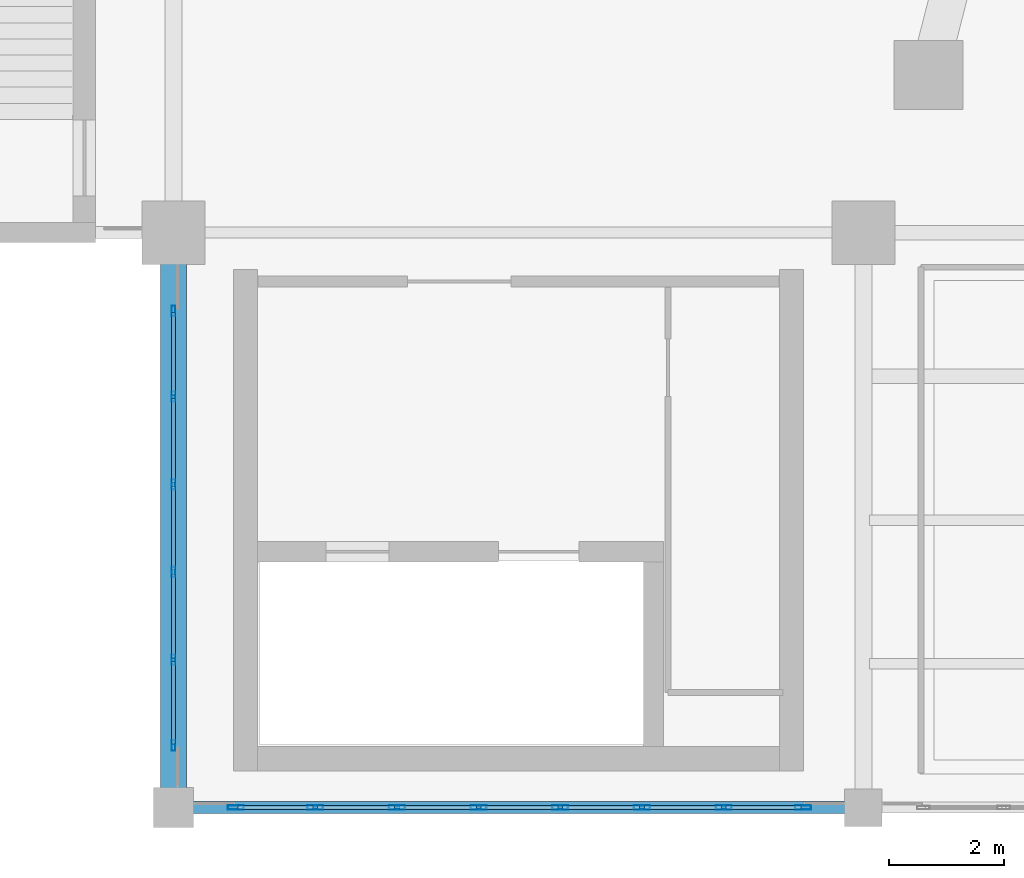
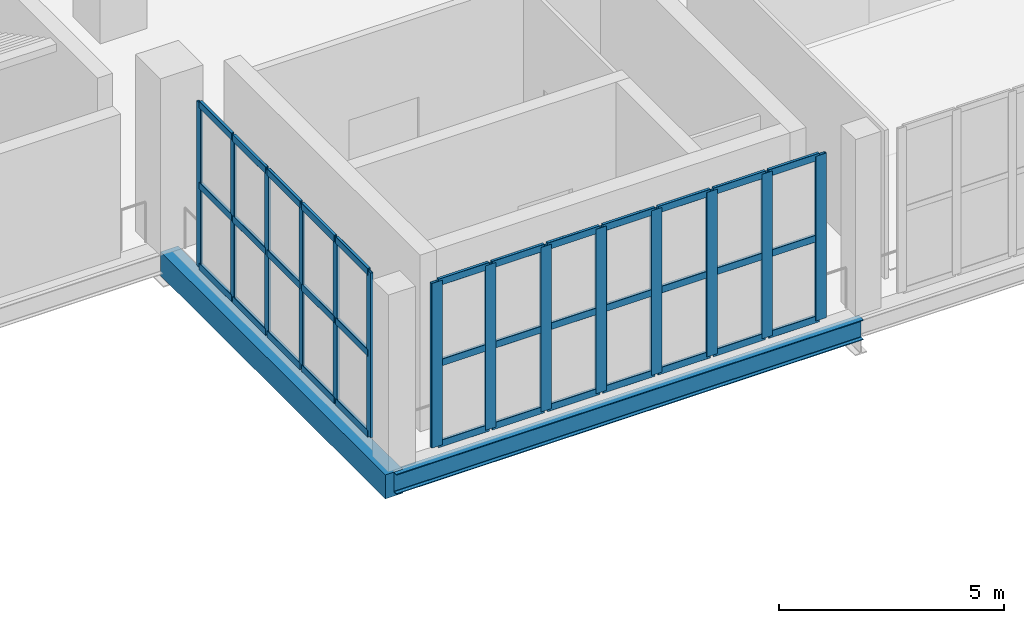
# One storey, part 38 of 136: 50 members, 2 beams, 2 elements without a shape of their own.
"""IFC4 building model written with IfcOpenShell, lengths in metres."""

from ifc_helpers import new_model, si_unit, direction, frame, origin, origin_2d, place, context, subcontext, project, spatial, rectangle, hollow_rectangle, i_section, extrude, material, layer, layer_set, material_profile, profile_set, type_object, element, aggregate, save


model = new_model("IFC4")

# Units and contexts
model_context = context("Model", 3, precision=1e-05, world=origin(), true_north=direction((0.0, 1.0)))
body_context = subcontext(model_context, "Body", "Model", "MODEL_VIEW")
ifc_project = project(units=[si_unit("LENGTHUNIT", "METRE"), si_unit("AREAUNIT", "SQUARE_METRE"), si_unit("VOLUMEUNIT", "CUBIC_METRE"), si_unit("PLANEANGLEUNIT", "RADIAN"), si_unit("MASSUNIT", "GRAM", prefix="KILO")], contexts=[model_context])

# Site, building, storey
site_placement = place(None, origin())
site = spatial("IfcSite", under=ifc_project, at=site_placement, CompositionType="ELEMENT")
building_placement = place(site_placement, origin())
building = spatial("IfcBuilding", under=site, at=building_placement, Name="Brinegate Civic Arena", CompositionType="ELEMENT")
storey_placement = place(building_placement, frame((0.0, 0.0, 5.39990234375)))
storey = spatial("IfcBuildingStorey", under=building, at=storey_placement, Name="L01", CompositionType="ELEMENT", Elevation=5.39990234375)

# Curtain wall, members
ifc_material_1 = material(Name="Marine grade aluminium", Category="aluminium")
ifc_layer = layer(ifc_material_1, 0.25, Name="Marine grade aluminium")
ifc_layer_set = layer_set([ifc_layer], Name="Marine grade aluminium")
curtain_wall_type = type_object("IfcCurtainWallType", Name="CW-PORTAL-SOUTH-02", PredefinedType="USERDEFINED", material=ifc_layer_set)
curtain_wall_1_placement = place(storey_placement, origin())
curtain_wall_1 = element("IfcCurtainWall", 1, at=curtain_wall_1_placement, inside=storey, type_object=curtain_wall_type, Name="Curtain Wall CWA-070", ObjectType="PORTAL CURTAIN WALL", PredefinedType="USERDEFINED")
ifc_material_profile_1 = material_profile(ifc_material_1, hollow_rectangle(XDim=0.06494140625, YDim=0.179931640625, WallThickness=0.0048828125, InnerFilletRadius=0.00390625, OuterFilletRadius=0.008056640625, at=origin_2d()), Name="MUL65X180")
ifc_profile_set_1 = profile_set([ifc_material_profile_1], Name="Marine grade aluminium")
member_type_1 = type_object("IfcMemberType", Name="CW-MULLION-65X180", PredefinedType="MULLION", material=ifc_profile_set_1)
member_1_placement = place(storey_placement, frame((84.0, 1.077392578125, 0.0), z_axis=(0.0, 0.0, 1.0), x_axis=(-1.0, 0.0, 0.0)))
member_1 = element("IfcMember", 2, at=member_1_placement, type_object=member_type_1, Name="CWA-070 mullion 1", PredefinedType="MULLION", context=body_context, shape_type="SweptSolid", body=[
    extrude(hollow_rectangle(XDim=0.06494140625, YDim=0.179931640625, WallThickness=0.0048828125, InnerFilletRadius=0.00390625, OuterFilletRadius=0.008056640625, at=origin_2d()), origin(), (0.0, 0.0, 1.0), 4.47021484375),
])
member_2_placement = place(storey_placement, frame((84.0, 2.5703125, 0.0), z_axis=(0.0, 0.0, 1.0), x_axis=(-1.0, 0.0, 0.0)))
member_2 = element("IfcMember", 3, at=member_2_placement, type_object=member_type_1, Name="CWA-070 mullion 2", PredefinedType="MULLION", context=body_context, shape_type="SweptSolid", body=[
    extrude(hollow_rectangle(XDim=0.06494140625, YDim=0.179931640625, WallThickness=0.0048828125, InnerFilletRadius=0.00390625, OuterFilletRadius=0.008056640625, at=origin_2d()), origin(), (0.0, 0.0, 1.0), 4.47021484375),
])
member_3_placement = place(storey_placement, frame((84.0, 4.095703125, 0.0), z_axis=(0.0, 0.0, 1.0), x_axis=(-1.0, 0.0, 0.0)))
member_3 = element("IfcMember", 4, at=member_3_placement, type_object=member_type_1, Name="CWA-070 mullion 3", PredefinedType="MULLION", context=body_context, shape_type="SweptSolid", body=[
    extrude(hollow_rectangle(XDim=0.06494140625, YDim=0.179931640625, WallThickness=0.0048828125, InnerFilletRadius=0.00390625, OuterFilletRadius=0.008056640625, at=origin_2d()), origin(), (0.0, 0.0, 1.0), 4.47021484375),
])
member_4_placement = place(storey_placement, frame((84.0, 5.62109375, 0.0), z_axis=(0.0, 0.0, 1.0), x_axis=(-1.0, 0.0, 0.0)))
member_4 = element("IfcMember", 5, at=member_4_placement, type_object=member_type_1, Name="CWA-070 mullion 4", PredefinedType="MULLION", context=body_context, shape_type="SweptSolid", body=[
    extrude(hollow_rectangle(XDim=0.06494140625, YDim=0.179931640625, WallThickness=0.0048828125, InnerFilletRadius=0.00390625, OuterFilletRadius=0.008056640625, at=origin_2d()), origin(), (0.0, 0.0, 1.0), 4.47021484375),
])
member_5_placement = place(storey_placement, frame((84.0, 7.146484375, 0.0), z_axis=(0.0, 0.0, 1.0), x_axis=(-1.0, 0.0, 0.0)))
member_5 = element("IfcMember", 6, at=member_5_placement, type_object=member_type_1, Name="CWA-070 mullion 5", PredefinedType="MULLION", context=body_context, shape_type="SweptSolid", body=[
    extrude(hollow_rectangle(XDim=0.06494140625, YDim=0.179931640625, WallThickness=0.0048828125, InnerFilletRadius=0.00390625, OuterFilletRadius=0.008056640625, at=origin_2d()), origin(), (0.0, 0.0, 1.0), 4.47021484375),
])
member_6_placement = place(storey_placement, frame((84.0, 8.639404296875, 0.0), z_axis=(0.0, 0.0, 1.0), x_axis=(-1.0, 0.0, 0.0)))
member_6 = element("IfcMember", 7, at=member_6_placement, type_object=member_type_1, Name="CWA-070 mullion 6", PredefinedType="MULLION", context=body_context, shape_type="SweptSolid", body=[
    extrude(hollow_rectangle(XDim=0.06494140625, YDim=0.179931640625, WallThickness=0.0048828125, InnerFilletRadius=0.00390625, OuterFilletRadius=0.008056640625, at=origin_2d()), origin(), (0.0, 0.0, 1.0), 4.47021484375),
])

curtain_wall_2_placement = place(storey_placement, origin())
curtain_wall_2 = element("IfcCurtainWall", 8, at=curtain_wall_2_placement, inside=storey, type_object=curtain_wall_type, Name="Curtain Wall CWA-065", ObjectType="PORTAL CURTAIN WALL", PredefinedType="USERDEFINED")
ifc_material_profile_2 = material_profile(ifc_material_1, hollow_rectangle(XDim=0.080078125, YDim=0.280029296875, WallThickness=0.007080078125, InnerFilletRadius=0.0048828125, OuterFilletRadius=0.010009765625, at=origin_2d()), Name="MUL80X280")
ifc_profile_set_2 = profile_set([ifc_material_profile_2], Name="Marine grade aluminium")
member_type_2 = type_object("IfcMemberType", Name="CW-MULLION-80X280", PredefinedType="MULLION", material=ifc_profile_set_2)
member_7_placement = place(storey_placement, frame((85.0849609375, 0.0, 0.0), z_axis=(0.0, 0.0, 1.0), x_axis=(0.0, 1.0, 0.0)))
member_7 = element("IfcMember", 9, at=member_7_placement, type_object=member_type_2, Name="CWA-065 mullion 1", PredefinedType="MULLION", context=body_context, shape_type="SweptSolid", body=[
    extrude(hollow_rectangle(XDim=0.080078125, YDim=0.280029296875, WallThickness=0.007080078125, InnerFilletRadius=0.0048828125, OuterFilletRadius=0.010009765625, at=origin_2d()), origin(), (0.0, 0.0, 1.0), 4.47021484375),
])
member_8_placement = place(storey_placement, frame((86.4658203125, 0.0, 0.0), z_axis=(0.0, 0.0, 1.0), x_axis=(0.0, 1.0, 0.0)))
member_8 = element("IfcMember", 10, at=member_8_placement, type_object=member_type_2, Name="CWA-065 mullion 2", PredefinedType="MULLION", context=body_context, shape_type="SweptSolid", body=[
    extrude(hollow_rectangle(XDim=0.080078125, YDim=0.280029296875, WallThickness=0.007080078125, InnerFilletRadius=0.0048828125, OuterFilletRadius=0.010009765625, at=origin_2d()), origin(), (0.0, 0.0, 1.0), 4.47021484375),
])
member_9_placement = place(storey_placement, frame((87.886474609375, 0.0, 0.0), z_axis=(0.0, 0.0, 1.0), x_axis=(0.0, 1.0, 0.0)))
member_9 = element("IfcMember", 11, at=member_9_placement, type_object=member_type_2, Name="CWA-065 mullion 3", PredefinedType="MULLION", context=body_context, shape_type="SweptSolid", body=[
    extrude(hollow_rectangle(XDim=0.080078125, YDim=0.280029296875, WallThickness=0.007080078125, InnerFilletRadius=0.0048828125, OuterFilletRadius=0.010009765625, at=origin_2d()), origin(), (0.0, 0.0, 1.0), 4.47021484375),
])
member_10_placement = place(storey_placement, frame((89.30712890625, 0.0, 0.0), z_axis=(0.0, 0.0, 1.0), x_axis=(0.0, 1.0, 0.0)))
member_10 = element("IfcMember", 12, at=member_10_placement, type_object=member_type_2, Name="CWA-065 mullion 4", PredefinedType="MULLION", context=body_context, shape_type="SweptSolid", body=[
    extrude(hollow_rectangle(XDim=0.080078125, YDim=0.280029296875, WallThickness=0.007080078125, InnerFilletRadius=0.0048828125, OuterFilletRadius=0.010009765625, at=origin_2d()), origin(), (0.0, 0.0, 1.0), 4.47021484375),
])
member_11_placement = place(storey_placement, frame((90.727783203125, 0.0, 0.0), z_axis=(0.0, 0.0, 1.0), x_axis=(0.0, 1.0, 0.0)))
member_11 = element("IfcMember", 13, at=member_11_placement, type_object=member_type_2, Name="CWA-065 mullion 5", PredefinedType="MULLION", context=body_context, shape_type="SweptSolid", body=[
    extrude(hollow_rectangle(XDim=0.080078125, YDim=0.280029296875, WallThickness=0.007080078125, InnerFilletRadius=0.0048828125, OuterFilletRadius=0.010009765625, at=origin_2d()), origin(), (0.0, 0.0, 1.0), 4.47021484375),
])
member_12_placement = place(storey_placement, frame((92.148681640625, 0.0, 0.0), z_axis=(0.0, 0.0, 1.0), x_axis=(0.0, 1.0, 0.0)))
member_12 = element("IfcMember", 14, at=member_12_placement, type_object=member_type_2, Name="CWA-065 mullion 6", PredefinedType="MULLION", context=body_context, shape_type="SweptSolid", body=[
    extrude(hollow_rectangle(XDim=0.080078125, YDim=0.280029296875, WallThickness=0.007080078125, InnerFilletRadius=0.0048828125, OuterFilletRadius=0.010009765625, at=origin_2d()), origin(), (0.0, 0.0, 1.0), 4.47021484375),
])
member_13_placement = place(storey_placement, frame((93.5693359375, 0.0, 0.0), z_axis=(0.0, 0.0, 1.0), x_axis=(0.0, 1.0, 0.0)))
member_13 = element("IfcMember", 15, at=member_13_placement, type_object=member_type_2, Name="CWA-065 mullion 7", PredefinedType="MULLION", context=body_context, shape_type="SweptSolid", body=[
    extrude(hollow_rectangle(XDim=0.080078125, YDim=0.280029296875, WallThickness=0.007080078125, InnerFilletRadius=0.0048828125, OuterFilletRadius=0.010009765625, at=origin_2d()), origin(), (0.0, 0.0, 1.0), 4.47021484375),
])
member_14_placement = place(storey_placement, frame((94.949951171875, 0.0, 0.0), z_axis=(0.0, 0.0, 1.0), x_axis=(0.0, 1.0, 0.0)))
member_14 = element("IfcMember", 16, at=member_14_placement, type_object=member_type_2, Name="CWA-065 mullion 8", PredefinedType="MULLION", context=body_context, shape_type="SweptSolid", body=[
    extrude(hollow_rectangle(XDim=0.080078125, YDim=0.280029296875, WallThickness=0.007080078125, InnerFilletRadius=0.0048828125, OuterFilletRadius=0.010009765625, at=origin_2d()), origin(), (0.0, 0.0, 1.0), 4.47021484375),
])
ifc_material_profile_3 = material_profile(ifc_material_1, hollow_rectangle(XDim=0.074951171875, YDim=0.18994140625, WallThickness=0.006103515625, InnerFilletRadius=0.00390625, OuterFilletRadius=0.008056640625, at=origin_2d()), Name="TRN75X190")
ifc_profile_set_3 = profile_set([ifc_material_profile_3], Name="Marine grade aluminium")
member_type_3 = type_object("IfcMemberType", Name="CW-TRANSOM-75X190", PredefinedType="USERDEFINED", material=ifc_profile_set_3)
member_15_placement = place(storey_placement, frame((85.125, 0.0, 0.03759765625), z_axis=(1.0, 0.0, 0.0), x_axis=(0.0, 1.0, 0.0)))
member_15 = element("IfcMember", 17, at=member_15_placement, type_object=member_type_3, Name="CWA-065 transom 1.1", ObjectType="TRANSOM", PredefinedType="USERDEFINED", context=body_context, shape_type="SweptSolid", body=[
    extrude(hollow_rectangle(XDim=0.074951171875, YDim=0.18994140625, WallThickness=0.006103515625, InnerFilletRadius=0.00390625, OuterFilletRadius=0.008056640625, at=origin_2d()), origin(), (0.0, 0.0, 1.0), 1.30078125),
])
member_16_placement = place(storey_placement, frame((85.125, 0.0, 2.235107421875), z_axis=(1.0, 0.0, 0.0), x_axis=(0.0, 1.0, 0.0)))
member_16 = element("IfcMember", 18, at=member_16_placement, type_object=member_type_3, Name="CWA-065 transom 1.2", ObjectType="TRANSOM", PredefinedType="USERDEFINED", context=body_context, shape_type="SweptSolid", body=[
    extrude(hollow_rectangle(XDim=0.074951171875, YDim=0.18994140625, WallThickness=0.006103515625, InnerFilletRadius=0.00390625, OuterFilletRadius=0.008056640625, at=origin_2d()), origin(), (0.0, 0.0, 1.0), 1.30078125),
])
member_17_placement = place(storey_placement, frame((85.125, 0.0, 4.4326171875), z_axis=(1.0, 0.0, 0.0), x_axis=(0.0, 1.0, 0.0)))
member_17 = element("IfcMember", 19, at=member_17_placement, type_object=member_type_3, Name="CWA-065 transom 1.3", ObjectType="TRANSOM", PredefinedType="USERDEFINED", context=body_context, shape_type="SweptSolid", body=[
    extrude(hollow_rectangle(XDim=0.074951171875, YDim=0.18994140625, WallThickness=0.006103515625, InnerFilletRadius=0.00390625, OuterFilletRadius=0.008056640625, at=origin_2d()), origin(), (0.0, 0.0, 1.0), 1.30078125),
])
member_18_placement = place(storey_placement, frame((86.505615234375, 0.0, 0.03759765625), z_axis=(1.0, 0.0, 0.0), x_axis=(0.0, 1.0, 0.0)))
member_18 = element("IfcMember", 20, at=member_18_placement, type_object=member_type_3, Name="CWA-065 transom 2.1", ObjectType="TRANSOM", PredefinedType="USERDEFINED", context=body_context, shape_type="SweptSolid", body=[
    extrude(hollow_rectangle(XDim=0.074951171875, YDim=0.18994140625, WallThickness=0.006103515625, InnerFilletRadius=0.00390625, OuterFilletRadius=0.008056640625, at=origin_2d()), origin(), (0.0, 0.0, 1.0), 1.3408203125),
])
member_19_placement = place(storey_placement, frame((86.505615234375, 0.0, 2.235107421875), z_axis=(1.0, 0.0, 0.0), x_axis=(0.0, 1.0, 0.0)))
member_19 = element("IfcMember", 21, at=member_19_placement, type_object=member_type_3, Name="CWA-065 transom 2.2", ObjectType="TRANSOM", PredefinedType="USERDEFINED", context=body_context, shape_type="SweptSolid", body=[
    extrude(hollow_rectangle(XDim=0.074951171875, YDim=0.18994140625, WallThickness=0.006103515625, InnerFilletRadius=0.00390625, OuterFilletRadius=0.008056640625, at=origin_2d()), origin(), (0.0, 0.0, 1.0), 1.3408203125),
])
member_20_placement = place(storey_placement, frame((86.505615234375, 0.0, 4.4326171875), z_axis=(1.0, 0.0, 0.0), x_axis=(0.0, 1.0, 0.0)))
member_20 = element("IfcMember", 22, at=member_20_placement, type_object=member_type_3, Name="CWA-065 transom 2.3", ObjectType="TRANSOM", PredefinedType="USERDEFINED", context=body_context, shape_type="SweptSolid", body=[
    extrude(hollow_rectangle(XDim=0.074951171875, YDim=0.18994140625, WallThickness=0.006103515625, InnerFilletRadius=0.00390625, OuterFilletRadius=0.008056640625, at=origin_2d()), origin(), (0.0, 0.0, 1.0), 1.3408203125),
])
member_21_placement = place(storey_placement, frame((87.926513671875, 0.0, 0.03759765625), z_axis=(1.0, 0.0, 0.0), x_axis=(0.0, 1.0, 0.0)))
member_21 = element("IfcMember", 23, at=member_21_placement, type_object=member_type_3, Name="CWA-065 transom 3.1", ObjectType="TRANSOM", PredefinedType="USERDEFINED", context=body_context, shape_type="SweptSolid", body=[
    extrude(hollow_rectangle(XDim=0.074951171875, YDim=0.18994140625, WallThickness=0.006103515625, InnerFilletRadius=0.00390625, OuterFilletRadius=0.008056640625, at=origin_2d()), origin(), (0.0, 0.0, 1.0), 1.340576171875),
])
member_22_placement = place(storey_placement, frame((87.926513671875, 0.0, 2.235107421875), z_axis=(1.0, 0.0, 0.0), x_axis=(0.0, 1.0, 0.0)))
member_22 = element("IfcMember", 24, at=member_22_placement, type_object=member_type_3, Name="CWA-065 transom 3.2", ObjectType="TRANSOM", PredefinedType="USERDEFINED", context=body_context, shape_type="SweptSolid", body=[
    extrude(hollow_rectangle(XDim=0.074951171875, YDim=0.18994140625, WallThickness=0.006103515625, InnerFilletRadius=0.00390625, OuterFilletRadius=0.008056640625, at=origin_2d()), origin(), (0.0, 0.0, 1.0), 1.340576171875),
])
member_23_placement = place(storey_placement, frame((87.926513671875, 0.0, 4.4326171875), z_axis=(1.0, 0.0, 0.0), x_axis=(0.0, 1.0, 0.0)))
member_23 = element("IfcMember", 25, at=member_23_placement, type_object=member_type_3, Name="CWA-065 transom 3.3", ObjectType="TRANSOM", PredefinedType="USERDEFINED", context=body_context, shape_type="SweptSolid", body=[
    extrude(hollow_rectangle(XDim=0.074951171875, YDim=0.18994140625, WallThickness=0.006103515625, InnerFilletRadius=0.00390625, OuterFilletRadius=0.008056640625, at=origin_2d()), origin(), (0.0, 0.0, 1.0), 1.340576171875),
])
member_24_placement = place(storey_placement, frame((89.34716796875, 0.0, 0.03759765625), z_axis=(1.0, 0.0, 0.0), x_axis=(0.0, 1.0, 0.0)))
member_24 = element("IfcMember", 26, at=member_24_placement, type_object=member_type_3, Name="CWA-065 transom 4.1", ObjectType="TRANSOM", PredefinedType="USERDEFINED", context=body_context, shape_type="SweptSolid", body=[
    extrude(hollow_rectangle(XDim=0.074951171875, YDim=0.18994140625, WallThickness=0.006103515625, InnerFilletRadius=0.00390625, OuterFilletRadius=0.008056640625, at=origin_2d()), origin(), (0.0, 0.0, 1.0), 1.340576171875),
])
member_25_placement = place(storey_placement, frame((89.34716796875, 0.0, 2.235107421875), z_axis=(1.0, 0.0, 0.0), x_axis=(0.0, 1.0, 0.0)))
member_25 = element("IfcMember", 27, at=member_25_placement, type_object=member_type_3, Name="CWA-065 transom 4.2", ObjectType="TRANSOM", PredefinedType="USERDEFINED", context=body_context, shape_type="SweptSolid", body=[
    extrude(hollow_rectangle(XDim=0.074951171875, YDim=0.18994140625, WallThickness=0.006103515625, InnerFilletRadius=0.00390625, OuterFilletRadius=0.008056640625, at=origin_2d()), origin(), (0.0, 0.0, 1.0), 1.340576171875),
])
member_26_placement = place(storey_placement, frame((89.34716796875, 0.0, 4.4326171875), z_axis=(1.0, 0.0, 0.0), x_axis=(0.0, 1.0, 0.0)))
member_26 = element("IfcMember", 28, at=member_26_placement, type_object=member_type_3, Name="CWA-065 transom 4.3", ObjectType="TRANSOM", PredefinedType="USERDEFINED", context=body_context, shape_type="SweptSolid", body=[
    extrude(hollow_rectangle(XDim=0.074951171875, YDim=0.18994140625, WallThickness=0.006103515625, InnerFilletRadius=0.00390625, OuterFilletRadius=0.008056640625, at=origin_2d()), origin(), (0.0, 0.0, 1.0), 1.340576171875),
])
member_27_placement = place(storey_placement, frame((90.767822265625, 0.0, 0.03759765625), z_axis=(1.0, 0.0, 0.0), x_axis=(0.0, 1.0, 0.0)))
member_27 = element("IfcMember", 29, at=member_27_placement, type_object=member_type_3, Name="CWA-065 transom 5.1", ObjectType="TRANSOM", PredefinedType="USERDEFINED", context=body_context, shape_type="SweptSolid", body=[
    extrude(hollow_rectangle(XDim=0.074951171875, YDim=0.18994140625, WallThickness=0.006103515625, InnerFilletRadius=0.00390625, OuterFilletRadius=0.008056640625, at=origin_2d()), origin(), (0.0, 0.0, 1.0), 1.3408203125),
])
member_28_placement = place(storey_placement, frame((90.767822265625, 0.0, 2.235107421875), z_axis=(1.0, 0.0, 0.0), x_axis=(0.0, 1.0, 0.0)))
member_28 = element("IfcMember", 30, at=member_28_placement, type_object=member_type_3, Name="CWA-065 transom 5.2", ObjectType="TRANSOM", PredefinedType="USERDEFINED", context=body_context, shape_type="SweptSolid", body=[
    extrude(hollow_rectangle(XDim=0.074951171875, YDim=0.18994140625, WallThickness=0.006103515625, InnerFilletRadius=0.00390625, OuterFilletRadius=0.008056640625, at=origin_2d()), origin(), (0.0, 0.0, 1.0), 1.3408203125),
])
member_29_placement = place(storey_placement, frame((90.767822265625, 0.0, 4.4326171875), z_axis=(1.0, 0.0, 0.0), x_axis=(0.0, 1.0, 0.0)))
member_29 = element("IfcMember", 31, at=member_29_placement, type_object=member_type_3, Name="CWA-065 transom 5.3", ObjectType="TRANSOM", PredefinedType="USERDEFINED", context=body_context, shape_type="SweptSolid", body=[
    extrude(hollow_rectangle(XDim=0.074951171875, YDim=0.18994140625, WallThickness=0.006103515625, InnerFilletRadius=0.00390625, OuterFilletRadius=0.008056640625, at=origin_2d()), origin(), (0.0, 0.0, 1.0), 1.3408203125),
])
member_30_placement = place(storey_placement, frame((92.1884765625, 0.0, 0.03759765625), z_axis=(1.0, 0.0, 0.0), x_axis=(0.0, 1.0, 0.0)))
member_30 = element("IfcMember", 32, at=member_30_placement, type_object=member_type_3, Name="CWA-065 transom 6.1", ObjectType="TRANSOM", PredefinedType="USERDEFINED", context=body_context, shape_type="SweptSolid", body=[
    extrude(hollow_rectangle(XDim=0.074951171875, YDim=0.18994140625, WallThickness=0.006103515625, InnerFilletRadius=0.00390625, OuterFilletRadius=0.008056640625, at=origin_2d()), origin(), (0.0, 0.0, 1.0), 1.3408203125),
])
member_31_placement = place(storey_placement, frame((92.1884765625, 0.0, 2.235107421875), z_axis=(1.0, 0.0, 0.0), x_axis=(0.0, 1.0, 0.0)))
member_31 = element("IfcMember", 33, at=member_31_placement, type_object=member_type_3, Name="CWA-065 transom 6.2", ObjectType="TRANSOM", PredefinedType="USERDEFINED", context=body_context, shape_type="SweptSolid", body=[
    extrude(hollow_rectangle(XDim=0.074951171875, YDim=0.18994140625, WallThickness=0.006103515625, InnerFilletRadius=0.00390625, OuterFilletRadius=0.008056640625, at=origin_2d()), origin(), (0.0, 0.0, 1.0), 1.3408203125),
])
member_32_placement = place(storey_placement, frame((92.1884765625, 0.0, 4.4326171875), z_axis=(1.0, 0.0, 0.0), x_axis=(0.0, 1.0, 0.0)))
member_32 = element("IfcMember", 34, at=member_32_placement, type_object=member_type_3, Name="CWA-065 transom 6.3", ObjectType="TRANSOM", PredefinedType="USERDEFINED", context=body_context, shape_type="SweptSolid", body=[
    extrude(hollow_rectangle(XDim=0.074951171875, YDim=0.18994140625, WallThickness=0.006103515625, InnerFilletRadius=0.00390625, OuterFilletRadius=0.008056640625, at=origin_2d()), origin(), (0.0, 0.0, 1.0), 1.3408203125),
])
member_33_placement = place(storey_placement, frame((93.609375, 0.0, 0.03759765625), z_axis=(1.0, 0.0, 0.0), x_axis=(0.0, 1.0, 0.0)))
member_33 = element("IfcMember", 35, at=member_33_placement, type_object=member_type_3, Name="CWA-065 transom 7.1", ObjectType="TRANSOM", PredefinedType="USERDEFINED", context=body_context, shape_type="SweptSolid", body=[
    extrude(hollow_rectangle(XDim=0.074951171875, YDim=0.18994140625, WallThickness=0.006103515625, InnerFilletRadius=0.00390625, OuterFilletRadius=0.008056640625, at=origin_2d()), origin(), (0.0, 0.0, 1.0), 1.300537109375),
])
member_34_placement = place(storey_placement, frame((93.609375, 0.0, 2.235107421875), z_axis=(1.0, 0.0, 0.0), x_axis=(0.0, 1.0, 0.0)))
member_34 = element("IfcMember", 36, at=member_34_placement, type_object=member_type_3, Name="CWA-065 transom 7.2", ObjectType="TRANSOM", PredefinedType="USERDEFINED", context=body_context, shape_type="SweptSolid", body=[
    extrude(hollow_rectangle(XDim=0.074951171875, YDim=0.18994140625, WallThickness=0.006103515625, InnerFilletRadius=0.00390625, OuterFilletRadius=0.008056640625, at=origin_2d()), origin(), (0.0, 0.0, 1.0), 1.300537109375),
])
member_35_placement = place(storey_placement, frame((93.609375, 0.0, 4.4326171875), z_axis=(1.0, 0.0, 0.0), x_axis=(0.0, 1.0, 0.0)))
member_35 = element("IfcMember", 37, at=member_35_placement, type_object=member_type_3, Name="CWA-065 transom 7.3", ObjectType="TRANSOM", PredefinedType="USERDEFINED", context=body_context, shape_type="SweptSolid", body=[
    extrude(hollow_rectangle(XDim=0.074951171875, YDim=0.18994140625, WallThickness=0.006103515625, InnerFilletRadius=0.00390625, OuterFilletRadius=0.008056640625, at=origin_2d()), origin(), (0.0, 0.0, 1.0), 1.300537109375),
])
aggregate(curtain_wall_2, [member_7, member_8, member_9, member_10, member_11, member_12, member_13, member_14, member_15, member_16, member_17, member_18, member_19, member_20, member_21, member_22, member_23, member_24, member_25, member_26, member_27, member_28, member_29, member_30, member_31, member_32, member_33, member_34, member_35])

# Member
member_36_placement = place(storey_placement, frame((84.0, 1.110107421875, 0.03759765625), z_axis=(0.0, 1.0, 0.0), x_axis=(-1.0, 0.0, 0.0)))
member_36 = element("IfcMember", 38, at=member_36_placement, type_object=member_type_3, Name="CWA-070 transom 1.1", ObjectType="TRANSOM", PredefinedType="USERDEFINED", context=body_context, shape_type="SweptSolid", body=[
    extrude(hollow_rectangle(XDim=0.074951171875, YDim=0.18994140625, WallThickness=0.006103515625, InnerFilletRadius=0.00390625, OuterFilletRadius=0.008056640625, at=origin_2d()), origin(), (0.0, 0.0, 1.0), 1.427734375),
])

member_37_placement = place(storey_placement, frame((84.0, 1.110107421875, 2.235107421875), z_axis=(0.0, 1.0, 0.0), x_axis=(-1.0, 0.0, 0.0)))
member_37 = element("IfcMember", 39, at=member_37_placement, type_object=member_type_3, Name="CWA-070 transom 1.2", ObjectType="TRANSOM", PredefinedType="USERDEFINED", context=body_context, shape_type="SweptSolid", body=[
    extrude(hollow_rectangle(XDim=0.074951171875, YDim=0.18994140625, WallThickness=0.006103515625, InnerFilletRadius=0.00390625, OuterFilletRadius=0.008056640625, at=origin_2d()), origin(), (0.0, 0.0, 1.0), 1.427734375),
])

member_38_placement = place(storey_placement, frame((84.0, 1.110107421875, 4.4326171875), z_axis=(0.0, 1.0, 0.0), x_axis=(-1.0, 0.0, 0.0)))
member_38 = element("IfcMember", 40, at=member_38_placement, type_object=member_type_3, Name="CWA-070 transom 1.3", ObjectType="TRANSOM", PredefinedType="USERDEFINED", context=body_context, shape_type="SweptSolid", body=[
    extrude(hollow_rectangle(XDim=0.074951171875, YDim=0.18994140625, WallThickness=0.006103515625, InnerFilletRadius=0.00390625, OuterFilletRadius=0.008056640625, at=origin_2d()), origin(), (0.0, 0.0, 1.0), 1.427734375),
])

member_39_placement = place(storey_placement, frame((84.0, 2.602783203125, 0.03759765625), z_axis=(0.0, 1.0, 0.0), x_axis=(-1.0, 0.0, 0.0)))
member_39 = element("IfcMember", 41, at=member_39_placement, type_object=member_type_3, Name="CWA-070 transom 2.1", ObjectType="TRANSOM", PredefinedType="USERDEFINED", context=body_context, shape_type="SweptSolid", body=[
    extrude(hollow_rectangle(XDim=0.074951171875, YDim=0.18994140625, WallThickness=0.006103515625, InnerFilletRadius=0.00390625, OuterFilletRadius=0.008056640625, at=origin_2d()), origin(), (0.0, 0.0, 1.0), 1.46044921875),
])

member_40_placement = place(storey_placement, frame((84.0, 2.602783203125, 2.235107421875), z_axis=(0.0, 1.0, 0.0), x_axis=(-1.0, 0.0, 0.0)))
member_40 = element("IfcMember", 42, at=member_40_placement, type_object=member_type_3, Name="CWA-070 transom 2.2", ObjectType="TRANSOM", PredefinedType="USERDEFINED", context=body_context, shape_type="SweptSolid", body=[
    extrude(hollow_rectangle(XDim=0.074951171875, YDim=0.18994140625, WallThickness=0.006103515625, InnerFilletRadius=0.00390625, OuterFilletRadius=0.008056640625, at=origin_2d()), origin(), (0.0, 0.0, 1.0), 1.46044921875),
])

member_41_placement = place(storey_placement, frame((84.0, 2.602783203125, 4.4326171875), z_axis=(0.0, 1.0, 0.0), x_axis=(-1.0, 0.0, 0.0)))
member_41 = element("IfcMember", 43, at=member_41_placement, type_object=member_type_3, Name="CWA-070 transom 2.3", ObjectType="TRANSOM", PredefinedType="USERDEFINED", context=body_context, shape_type="SweptSolid", body=[
    extrude(hollow_rectangle(XDim=0.074951171875, YDim=0.18994140625, WallThickness=0.006103515625, InnerFilletRadius=0.00390625, OuterFilletRadius=0.008056640625, at=origin_2d()), origin(), (0.0, 0.0, 1.0), 1.46044921875),
])

member_42_placement = place(storey_placement, frame((84.0, 4.12841796875, 0.03759765625), z_axis=(0.0, 1.0, 0.0), x_axis=(-1.0, 0.0, 0.0)))
member_42 = element("IfcMember", 44, at=member_42_placement, type_object=member_type_3, Name="CWA-070 transom 3.1", ObjectType="TRANSOM", PredefinedType="USERDEFINED", context=body_context, shape_type="SweptSolid", body=[
    extrude(hollow_rectangle(XDim=0.074951171875, YDim=0.18994140625, WallThickness=0.006103515625, InnerFilletRadius=0.00390625, OuterFilletRadius=0.008056640625, at=origin_2d()), origin(), (0.0, 0.0, 1.0), 1.460205078125),
])

member_43_placement = place(storey_placement, frame((84.0, 4.12841796875, 2.235107421875), z_axis=(0.0, 1.0, 0.0), x_axis=(-1.0, 0.0, 0.0)))
member_43 = element("IfcMember", 45, at=member_43_placement, type_object=member_type_3, Name="CWA-070 transom 3.2", ObjectType="TRANSOM", PredefinedType="USERDEFINED", context=body_context, shape_type="SweptSolid", body=[
    extrude(hollow_rectangle(XDim=0.074951171875, YDim=0.18994140625, WallThickness=0.006103515625, InnerFilletRadius=0.00390625, OuterFilletRadius=0.008056640625, at=origin_2d()), origin(), (0.0, 0.0, 1.0), 1.460205078125),
])

member_44_placement = place(storey_placement, frame((84.0, 4.12841796875, 4.4326171875), z_axis=(0.0, 1.0, 0.0), x_axis=(-1.0, 0.0, 0.0)))
member_44 = element("IfcMember", 46, at=member_44_placement, type_object=member_type_3, Name="CWA-070 transom 3.3", ObjectType="TRANSOM", PredefinedType="USERDEFINED", context=body_context, shape_type="SweptSolid", body=[
    extrude(hollow_rectangle(XDim=0.074951171875, YDim=0.18994140625, WallThickness=0.006103515625, InnerFilletRadius=0.00390625, OuterFilletRadius=0.008056640625, at=origin_2d()), origin(), (0.0, 0.0, 1.0), 1.460205078125),
])

member_45_placement = place(storey_placement, frame((84.0, 5.65380859375, 0.03759765625), z_axis=(0.0, 1.0, 0.0), x_axis=(-1.0, 0.0, 0.0)))
member_45 = element("IfcMember", 47, at=member_45_placement, type_object=member_type_3, Name="CWA-070 transom 4.1", ObjectType="TRANSOM", PredefinedType="USERDEFINED", context=body_context, shape_type="SweptSolid", body=[
    extrude(hollow_rectangle(XDim=0.074951171875, YDim=0.18994140625, WallThickness=0.006103515625, InnerFilletRadius=0.00390625, OuterFilletRadius=0.008056640625, at=origin_2d()), origin(), (0.0, 0.0, 1.0), 1.460205078125),
])

member_46_placement = place(storey_placement, frame((84.0, 5.65380859375, 2.235107421875), z_axis=(0.0, 1.0, 0.0), x_axis=(-1.0, 0.0, 0.0)))
member_46 = element("IfcMember", 48, at=member_46_placement, type_object=member_type_3, Name="CWA-070 transom 4.2", ObjectType="TRANSOM", PredefinedType="USERDEFINED", context=body_context, shape_type="SweptSolid", body=[
    extrude(hollow_rectangle(XDim=0.074951171875, YDim=0.18994140625, WallThickness=0.006103515625, InnerFilletRadius=0.00390625, OuterFilletRadius=0.008056640625, at=origin_2d()), origin(), (0.0, 0.0, 1.0), 1.460205078125),
])

member_47_placement = place(storey_placement, frame((84.0, 5.65380859375, 4.4326171875), z_axis=(0.0, 1.0, 0.0), x_axis=(-1.0, 0.0, 0.0)))
member_47 = element("IfcMember", 49, at=member_47_placement, type_object=member_type_3, Name="CWA-070 transom 4.3", ObjectType="TRANSOM", PredefinedType="USERDEFINED", context=body_context, shape_type="SweptSolid", body=[
    extrude(hollow_rectangle(XDim=0.074951171875, YDim=0.18994140625, WallThickness=0.006103515625, InnerFilletRadius=0.00390625, OuterFilletRadius=0.008056640625, at=origin_2d()), origin(), (0.0, 0.0, 1.0), 1.460205078125),
])

member_48_placement = place(storey_placement, frame((84.0, 7.17919921875, 0.03759765625), z_axis=(0.0, 1.0, 0.0), x_axis=(-1.0, 0.0, 0.0)))
member_48 = element("IfcMember", 50, at=member_48_placement, type_object=member_type_3, Name="CWA-070 transom 5.1", ObjectType="TRANSOM", PredefinedType="USERDEFINED", context=body_context, shape_type="SweptSolid", body=[
    extrude(hollow_rectangle(XDim=0.074951171875, YDim=0.18994140625, WallThickness=0.006103515625, InnerFilletRadius=0.00390625, OuterFilletRadius=0.008056640625, at=origin_2d()), origin(), (0.0, 0.0, 1.0), 1.427734375),
])

member_49_placement = place(storey_placement, frame((84.0, 7.17919921875, 2.235107421875), z_axis=(0.0, 1.0, 0.0), x_axis=(-1.0, 0.0, 0.0)))
member_49 = element("IfcMember", 51, at=member_49_placement, type_object=member_type_3, Name="CWA-070 transom 5.2", ObjectType="TRANSOM", PredefinedType="USERDEFINED", context=body_context, shape_type="SweptSolid", body=[
    extrude(hollow_rectangle(XDim=0.074951171875, YDim=0.18994140625, WallThickness=0.006103515625, InnerFilletRadius=0.00390625, OuterFilletRadius=0.008056640625, at=origin_2d()), origin(), (0.0, 0.0, 1.0), 1.427734375),
])

member_50_placement = place(storey_placement, frame((84.0, 7.17919921875, 4.4326171875), z_axis=(0.0, 1.0, 0.0), x_axis=(-1.0, 0.0, 0.0)))
member_50 = element("IfcMember", 52, at=member_50_placement, type_object=member_type_3, Name="CWA-070 transom 5.3", ObjectType="TRANSOM", PredefinedType="USERDEFINED", context=body_context, shape_type="SweptSolid", body=[
    extrude(hollow_rectangle(XDim=0.074951171875, YDim=0.18994140625, WallThickness=0.006103515625, InnerFilletRadius=0.00390625, OuterFilletRadius=0.008056640625, at=origin_2d()), origin(), (0.0, 0.0, 1.0), 1.427734375),
])

aggregate(curtain_wall_1, [member_1, member_2, member_3, member_4, member_5, member_6, member_36, member_37, member_38, member_39, member_40, member_41, member_42, member_43, member_44, member_45, member_46, member_47, member_48, member_49, member_50])

# Beams
ifc_material_2 = material(Name="Concrete C50/60", Category="concrete")
ifc_material_profile_4 = material_profile(ifc_material_2, rectangle(XDim=0.449951171875, YDim=0.64990234375, at=origin_2d()), Name="RCB450X650")
ifc_profile_set_4 = profile_set([ifc_material_profile_4], Name="Concrete C50/60")
beam_type_1 = type_object("IfcBeamType", Name="RCG-450X650", PredefinedType="BEAM", material=ifc_profile_set_4)
beam_1_placement = place(storey_placement, frame((84.0, 0.0, -0.664794921875), z_axis=(0.0, 1.0, 0.0), x_axis=(-1.0, 0.0, 0.0)))
element("IfcBeam", 53, at=beam_1_placement, inside=storey, type_object=beam_type_1, Name="Floor Girder BM-L01-GY-07-00", PredefinedType="BEAM", context=body_context, shape_type="SweptSolid", body=[
    extrude(rectangle(XDim=0.449951171875, YDim=0.64990234375, at=origin_2d()), origin(), (0.0, 0.0, 1.0), 10.0),
])
ifc_material_3 = material(Name="Steel S355", Category="steel")
ifc_material_profile_5 = material_profile(ifc_material_3, i_section(OverallWidth=0.2119140625, OverallDepth=0.5439453125, WebThickness=0.012939453125, FlangeThickness=0.02099609375, FilletRadius=0.01611328125, at=origin_2d()), Name="W530X123")
ifc_profile_set_5 = profile_set([ifc_material_profile_5], Name="Steel S355")
beam_type_2 = type_object("IfcBeamType", Name="SPANDREL-W530X123", PredefinedType="SPANDREL", material=ifc_profile_set_5)
beam_2_placement = place(storey_placement, frame((84.0, 0.0, -0.61181640625), z_axis=(1.0, 0.0, 0.0), x_axis=(0.0, 1.0, 0.0)))
element("IfcBeam", 54, at=beam_2_placement, inside=storey, type_object=beam_type_2, Name="Floor Girder BM-L01-GX-07-00", PredefinedType="SPANDREL", context=body_context, shape_type="SweptSolid", body=[
    extrude(i_section(OverallWidth=0.2119140625, OverallDepth=0.5439453125, WebThickness=0.012939453125, FlangeThickness=0.02099609375, FilletRadius=0.01611328125, at=origin_2d()), origin(), (0.0, 0.0, 1.0), 12.0),
])

save(model, "model.ifc")
